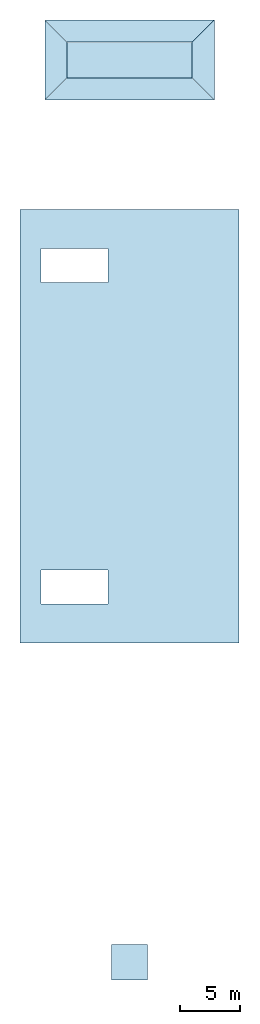
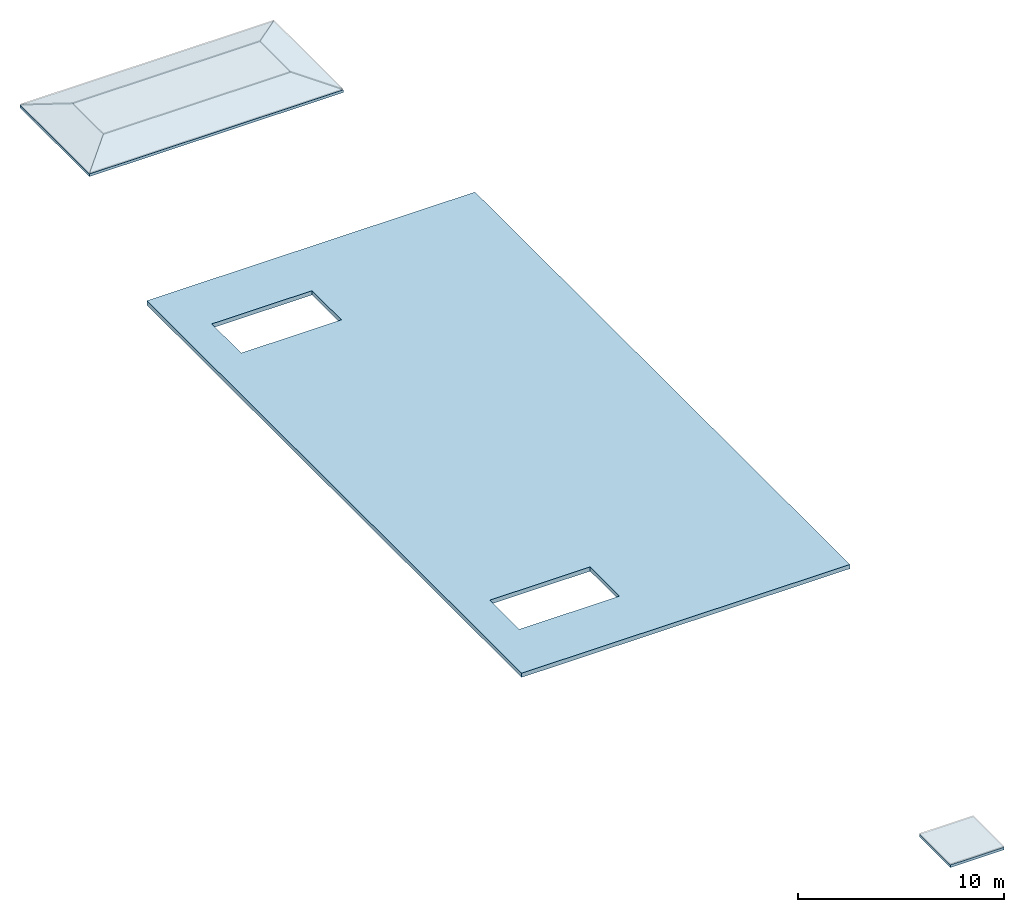
# One storey, part 1 of 2: 7 slabs.
"""IFC4 building model written with IfcOpenShell, lengths in metres."""

from ifc_helpers import new_model, si_unit, direction, frame, origin, place, context, subcontext, project, spatial, polyline, outline, extrude, material, layer, layer_set, type_object, element, save


model = new_model("IFC4")

# Units and contexts
model_context = context("Model", 3, precision=1e-05, world=origin(), true_north=direction((0.0, 1.0)))
body_context = subcontext(model_context, "Body", "Model", "MODEL_VIEW")
ifc_project = project(units=[si_unit("LENGTHUNIT", "METRE"), si_unit("AREAUNIT", "SQUARE_METRE"), si_unit("VOLUMEUNIT", "CUBIC_METRE"), si_unit("PLANEANGLEUNIT", "RADIAN"), si_unit("MASSUNIT", "GRAM", prefix="KILO")], contexts=[model_context])

# Site, building, storey
site_placement = place(None, origin())
site = spatial("IfcSite", under=ifc_project, at=site_placement, CompositionType="ELEMENT")
building_placement = place(site_placement, origin())
building = spatial("IfcBuilding", under=site, at=building_placement, Name="Golden Quay Civic Hall", CompositionType="ELEMENT")
storey_placement = place(building_placement, frame((0.0, 0.0, 30.60009765625)))
storey = spatial("IfcBuildingStorey", under=building, at=storey_placement, Name="Roof", CompositionType="ELEMENT", Elevation=30.60009765625)

# Slabs
ifc_material_1 = material(Name="Concrete C35/45", Category="concrete")
ifc_layer_1 = layer(ifc_material_1, 0.25)
ifc_layer_set_1 = layer_set([ifc_layer_1], Name="Composite roof 250")
slab_type_1 = type_object("IfcSlabType", Name="Composite roof 250", PredefinedType="ROOF", material=ifc_layer_set_1)
slab_1_placement = place(storey_placement, frame((0.0, 0.0, -0.25)))
element("IfcSlab", 1, at=slab_1_placement, inside=storey, type_object=slab_type_1, Name="WO plant roof", PredefinedType="ROOF", context=body_context, shape_type="SweptSolid", body=[
    extrude(outline(polyline([(-0.199951171875, 63.199951171875), (18.199951171875, 63.199951171875), (18.199951171875, 26.800048828125), (-0.199951171875, 26.800048828125), (-0.199951171875, 63.199951171875)]), holes=[polyline([(1.554931640625, 59.925048828125), (1.554931640625, 57.074951171875), (7.175048828125, 57.074951171875), (7.175048828125, 59.925048828125), (1.554931640625, 59.925048828125)]), polyline([(7.175048828125, 32.925048828125), (1.554931640625, 32.925048828125), (1.554931640625, 30.074951171875), (7.175048828125, 30.074951171875), (7.175048828125, 32.925048828125)])]), origin(), (0.0, 0.0, 1.0), 0.25),
])
ifc_material_2 = material(Name="Concrete C35/45", Category="concrete")
ifc_layer_2 = layer(ifc_material_2, 0.14990234375)
ifc_layer_set_2 = layer_set([ifc_layer_2], Name="Concrete roof deck 150, Concrete C35/45")
slab_type_2 = type_object("IfcSlabType", Name="Concrete roof deck 150", PredefinedType="ROOF", material=ifc_layer_set_2)
slab_2_placement = place(storey_placement, frame((0.0, 0.0, 2.9482421875)))
element("IfcSlab", 2, at=slab_2_placement, inside=storey, type_object=slab_type_2, Name="Roof deck WO-S cap", PredefinedType="ROOF", context=body_context, shape_type="SweptSolid", body=[
    extrude(outline(polyline([(7.5, -1.5), (10.5, -1.5), (10.5, 1.5), (7.5, 1.5), (7.5, -1.5)])), origin(), (0.0, 0.0, 1.0), 0.14990234375),
])
slab_3_placement = place(storey_placement, frame((1.883056640625, 72.383056640625, 1.214111328125), z_axis=(0.0, -0.287451302241, 0.957795254133), x_axis=(1.0, 0.0, 0.0)))
element("IfcSlab", 3, at=slab_3_placement, inside=storey, type_object=slab_type_2, Name="Roof deck WO-N south upper", PredefinedType="ROOF", context=body_context, shape_type="SweptSolid", body=[
    extrude(outline(polyline([(0.0, 0.0), (14.23388671875, 0.0), (12.366943359375, 1.9492092399900305), (1.866943359375, 1.9492092399900305), (0.0, 0.0)])), origin(), (0.0, -0.287451302241, -0.957795254133), 0.156494140625),
])
slab_4_placement = place(storey_placement, frame((1.883056640625, 79.116943359375, 1.214111328125), z_axis=(0.0, 0.287451302241, 0.957795254133), x_axis=(1.0, 0.0, 0.0)))
element("IfcSlab", 4, at=slab_4_placement, inside=storey, type_object=slab_type_2, Name="Roof deck WO-N north upper", PredefinedType="ROOF", context=body_context, shape_type="SweptSolid", body=[
    extrude(outline(polyline([(0.0, 0.0), (14.23388671875, 0.0), (12.366943359375, -1.9492092399900305), (1.866943359375, -1.9492092399900305), (0.0, 0.0)])), origin(), (0.0, 0.287451302241, -0.957795254133), 0.156494140625),
])
slab_5_placement = place(storey_placement, frame((1.883056640625, 72.383056640625, 1.214111328125), z_axis=(-0.287451302241, 0.0, 0.957795254133), x_axis=(0.0, 1.0, 0.0)))
element("IfcSlab", 5, at=slab_5_placement, inside=storey, type_object=slab_type_2, Name="Roof deck WO-N west upper", PredefinedType="ROOF", context=body_context, shape_type="SweptSolid", body=[
    extrude(outline(polyline([(0.0, 0.0), (6.73388671875, 0.0), (4.866943359375, -1.9492092399900303), (1.866943359375, -1.9492092399900303), (0.0, 0.0)])), origin(), (0.0, 0.287451302241, -0.957795254133), 0.156494140625),
])
slab_6_placement = place(storey_placement, frame((16.116943359375, 72.383056640625, 1.214111328125), z_axis=(0.287451302241, 0.0, 0.957795254133), x_axis=(0.0, 1.0, 0.0)))
element("IfcSlab", 6, at=slab_6_placement, inside=storey, type_object=slab_type_2, Name="Roof deck WO-N east upper", PredefinedType="ROOF", context=body_context, shape_type="SweptSolid", body=[
    extrude(outline(polyline([(0.0, 0.0), (6.73388671875, 0.0), (4.866943359375, 1.9492092399900303), (1.866943359375, 1.9492092399900303), (0.0, 0.0)])), origin(), (0.0, -0.287451302241, -0.957795254133), 0.156494140625),
])
slab_7_placement = place(storey_placement, frame((0.0, 0.0, 1.624267578125)))
element("IfcSlab", 7, at=slab_7_placement, inside=storey, type_object=slab_type_2, Name="Roof deck WO-N cap", PredefinedType="ROOF", context=body_context, shape_type="SweptSolid", body=[
    extrude(outline(polyline([(3.75, 74.25), (14.25, 74.25), (14.25, 77.25), (3.75, 77.25), (3.75, 74.25)])), origin(), (0.0, 0.0, 1.0), 0.150146484375),
])

save(model, "model.ifc")
